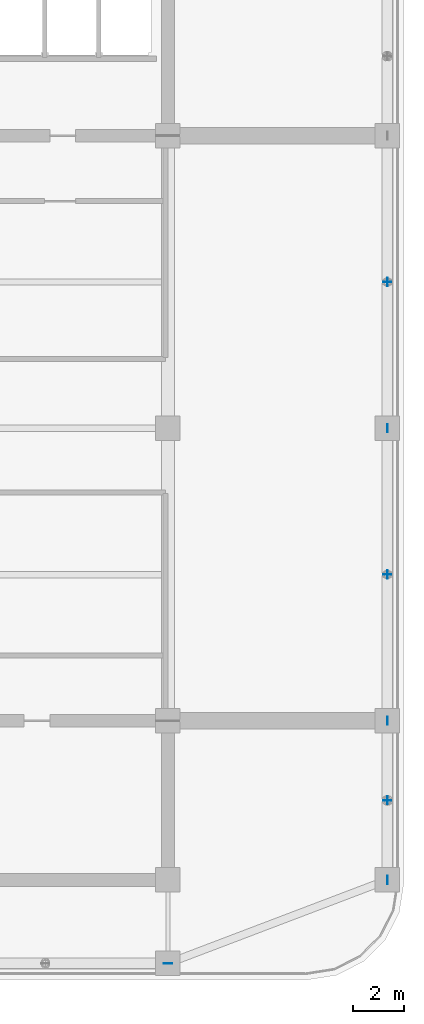
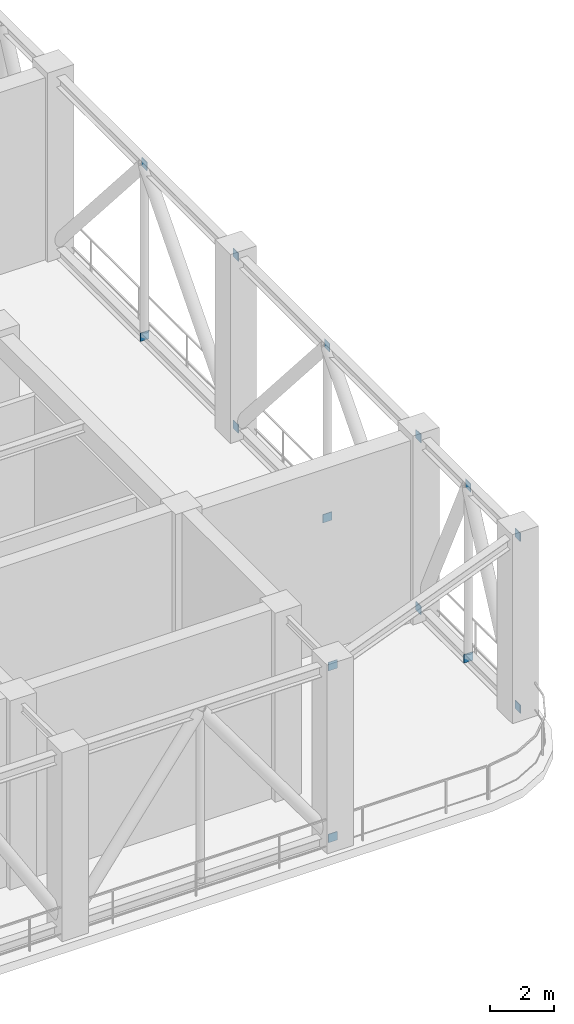
# One storey, part 15 of 20: 14 discrete accessories.
"""IFC4 building model written with IfcOpenShell, lengths in metres."""

from ifc_helpers import new_model, si_unit, direction, frame, origin, origin_2d, place, context, subcontext, project, spatial, rectangle, extrude, material, layer, layer_set, type_object, element, save


model = new_model("IFC4")

# Units and contexts
model_context = context("Model", 3, precision=1e-05, world=origin(), true_north=direction((0.0, 1.0)))
body_context = subcontext(model_context, "Body", "Model", "MODEL_VIEW")
ifc_project = project(units=[si_unit("LENGTHUNIT", "METRE"), si_unit("AREAUNIT", "SQUARE_METRE"), si_unit("VOLUMEUNIT", "CUBIC_METRE"), si_unit("PLANEANGLEUNIT", "RADIAN"), si_unit("MASSUNIT", "GRAM", prefix="KILO")], contexts=[model_context])

# Site, building, storey
site_placement = place(None, origin())
site = spatial("IfcSite", under=ifc_project, at=site_placement, CompositionType="ELEMENT")
building_placement = place(site_placement, origin())
building = spatial("IfcBuilding", under=site, at=building_placement, Name="Svetorya Sky Lyceum", CompositionType="ELEMENT")
storey_placement = place(building_placement, frame((0.0, 0.0, 195.89990234375)))
storey = spatial("IfcBuildingStorey", under=building, at=storey_placement, Name="L49", CompositionType="ELEMENT", Elevation=195.89990234375)

# Discrete accessories
ifc_material = material(Name="Steel S355", Category="steel")
ifc_layer = layer(ifc_material, 0.02392578125)
ifc_layer_set = layer_set([ifc_layer], Name="Steel S355")
discrete_accessory_type = type_object("IfcDiscreteAccessoryType", Name="ACC-GUSSET-24", PredefinedType="BRACKET", material=ifc_layer_set)
for number, where, z_axis, x_axis, name in (
    (1, (52.800048828125, 7.35009765625, 0.037109375), (0.0, 0.0, 1.0), (1.0, 0.0, 0.0), "L49 Brace Node Gusset Plate 139"),
    (2, (52.800048828125, 7.35009765625, 6.5830078125), (0.0, 0.0, 1.0), (1.0, 0.0, 0.0), "L49 Brace Node Gusset Plate 140"),
):
    element("IfcDiscreteAccessory", number, at=place(storey_placement, frame(where, z_axis=z_axis, x_axis=x_axis)), inside=storey, type_object=discrete_accessory_type, Name=name, PredefinedType="BRACKET", context=body_context, shape_type="SweptSolid", body=[
        extrude(rectangle(XDim=0.320068359375, YDim=0.02392578125, at=origin_2d()), origin(), (0.0, 0.0, 1.0), 0.320068359375),
    ])
for number, where, z_axis, x_axis, name in (
    (3, (61.35009765625, 10.60009765625, 0.037109375), (0.0, 0.0, 1.0), (1.0, 0.0, 0.0), "L49 Brace Node Gusset Plate 175"),
    (4, (61.35009765625, 16.800048828125, 0.037109375), (0.0, 0.0, 1.0), (1.0, 0.0, 0.0), "L49 Brace Node Gusset Plate 176"),
    (5, (61.35009765625, 10.60009765625, 6.5830078125), (0.0, 0.0, 1.0), (1.0, 0.0, 0.0), "L49 Brace Node Gusset Plate 177"),
    (6, (61.35009765625, 16.800048828125, 6.5830078125), (0.0, 0.0, 1.0), (1.0, 0.0, 0.0), "L49 Brace Node Gusset Plate 178"),
    (7, (61.35009765625, 13.699951171875, 6.5830078125), (0.0, 0.0, 1.0), (1.0, 0.0, 0.0), "L49 Brace Node Gusset Plate 179"),
):
    element("IfcDiscreteAccessory", number, at=place(storey_placement, frame(where, z_axis=z_axis, x_axis=x_axis)), inside=storey, type_object=discrete_accessory_type, Name=name, PredefinedType="BRACKET", context=body_context, shape_type="SweptSolid", body=[
        extrude(rectangle(XDim=0.02392578125, YDim=0.320068359375, at=origin_2d()), origin(), (0.0, 0.0, 1.0), 0.320068359375),
    ])
discrete_accessory_1_placement = place(storey_placement, frame((61.35009765625, 13.699951171875, 0.037109375), z_axis=(0.0, 0.0, 1.0), x_axis=(1.0, 0.0, 0.0)))
element("IfcDiscreteAccessory", 8, at=discrete_accessory_1_placement, inside=storey, type_object=discrete_accessory_type, Name="L49 Brace Node Gusset Plate 180", PredefinedType="BRACKET", context=body_context, shape_type="SweptSolid", body=[
    extrude(rectangle(XDim=0.320068359375, YDim=0.02392578125, at=origin_2d()), origin(), (0.0, 0.0, 1.0), 0.320068359375),
])
for number, where, z_axis, x_axis, name in (
    (9, (61.35009765625, 28.199951171875, 0.037109375), (0.0, 0.0, 1.0), (1.0, 0.0, 0.0), "L49 Brace Node Gusset Plate 181"),
    (10, (61.35009765625, 28.199951171875, 6.5830078125), (0.0, 0.0, 1.0), (1.0, 0.0, 0.0), "L49 Brace Node Gusset Plate 182"),
    (11, (61.35009765625, 22.5, 6.5830078125), (0.0, 0.0, 1.0), (1.0, 0.0, 0.0), "L49 Brace Node Gusset Plate 183"),
):
    element("IfcDiscreteAccessory", number, at=place(storey_placement, frame(where, z_axis=z_axis, x_axis=x_axis)), inside=storey, type_object=discrete_accessory_type, Name=name, PredefinedType="BRACKET", context=body_context, shape_type="SweptSolid", body=[
        extrude(rectangle(XDim=0.02392578125, YDim=0.320068359375, at=origin_2d()), origin(), (0.0, 0.0, 1.0), 0.320068359375),
    ])
discrete_accessory_2_placement = place(storey_placement, frame((61.35009765625, 22.5, 0.037109375), z_axis=(0.0, 0.0, 1.0), x_axis=(1.0, 0.0, 0.0)))
element("IfcDiscreteAccessory", 12, at=discrete_accessory_2_placement, inside=storey, type_object=discrete_accessory_type, Name="L49 Brace Node Gusset Plate 184", PredefinedType="BRACKET", context=body_context, shape_type="SweptSolid", body=[
    extrude(rectangle(XDim=0.320068359375, YDim=0.02392578125, at=origin_2d()), origin(), (0.0, 0.0, 1.0), 0.320068359375),
])
discrete_accessory_3_placement = place(storey_placement, frame((61.35009765625, 33.89990234375, 6.5830078125), z_axis=(0.0, 0.0, 1.0), x_axis=(1.0, 0.0, 0.0)))
element("IfcDiscreteAccessory", 13, at=discrete_accessory_3_placement, inside=storey, type_object=discrete_accessory_type, Name="L49 Brace Node Gusset Plate 187", PredefinedType="BRACKET", context=body_context, shape_type="SweptSolid", body=[
    extrude(rectangle(XDim=0.02392578125, YDim=0.320068359375, at=origin_2d()), origin(), (0.0, 0.0, 1.0), 0.320068359375),
])
discrete_accessory_4_placement = place(storey_placement, frame((61.35009765625, 33.89990234375, 0.037109375), z_axis=(0.0, 0.0, 1.0), x_axis=(1.0, 0.0, 0.0)))
element("IfcDiscreteAccessory", 14, at=discrete_accessory_4_placement, inside=storey, type_object=discrete_accessory_type, Name="L49 Brace Node Gusset Plate 188", PredefinedType="BRACKET", context=body_context, shape_type="SweptSolid", body=[
    extrude(rectangle(XDim=0.320068359375, YDim=0.02392578125, at=origin_2d()), origin(), (0.0, 0.0, 1.0), 0.320068359375),
])

save(model, "model.ifc")
